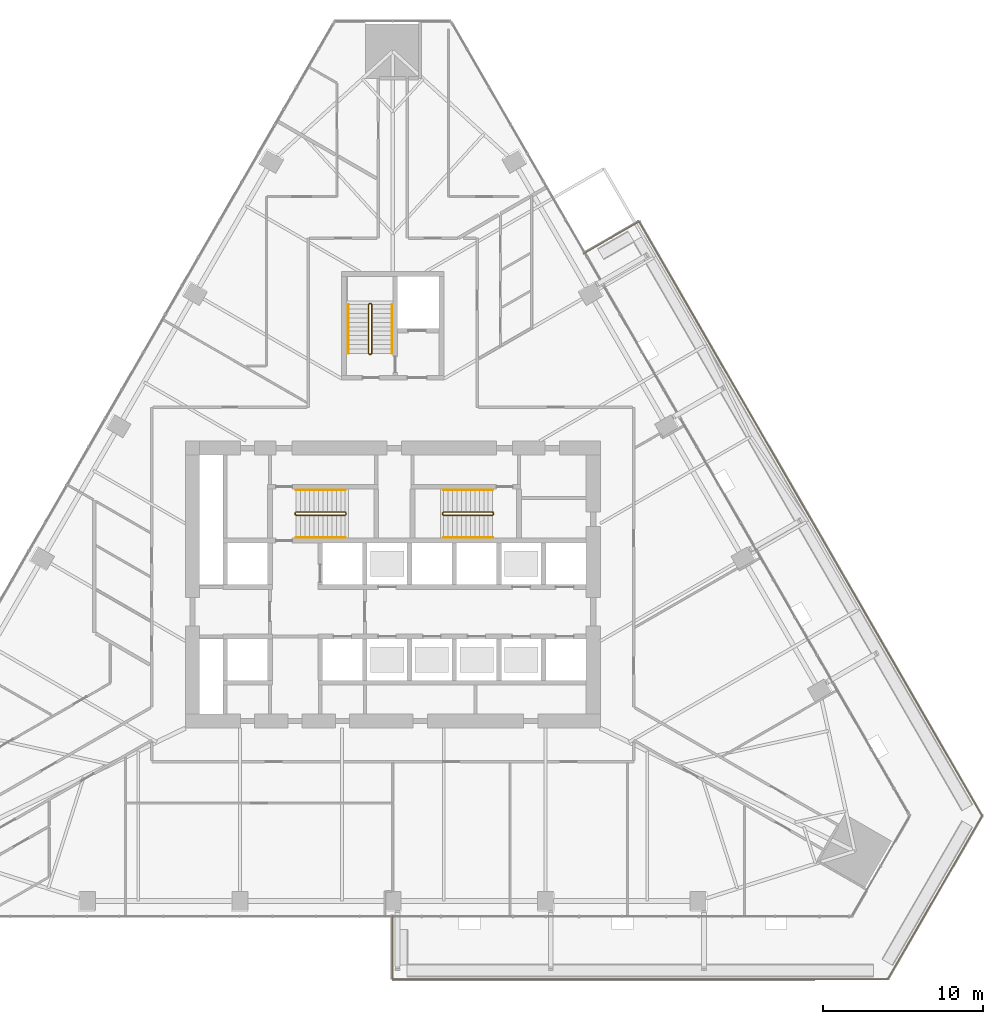
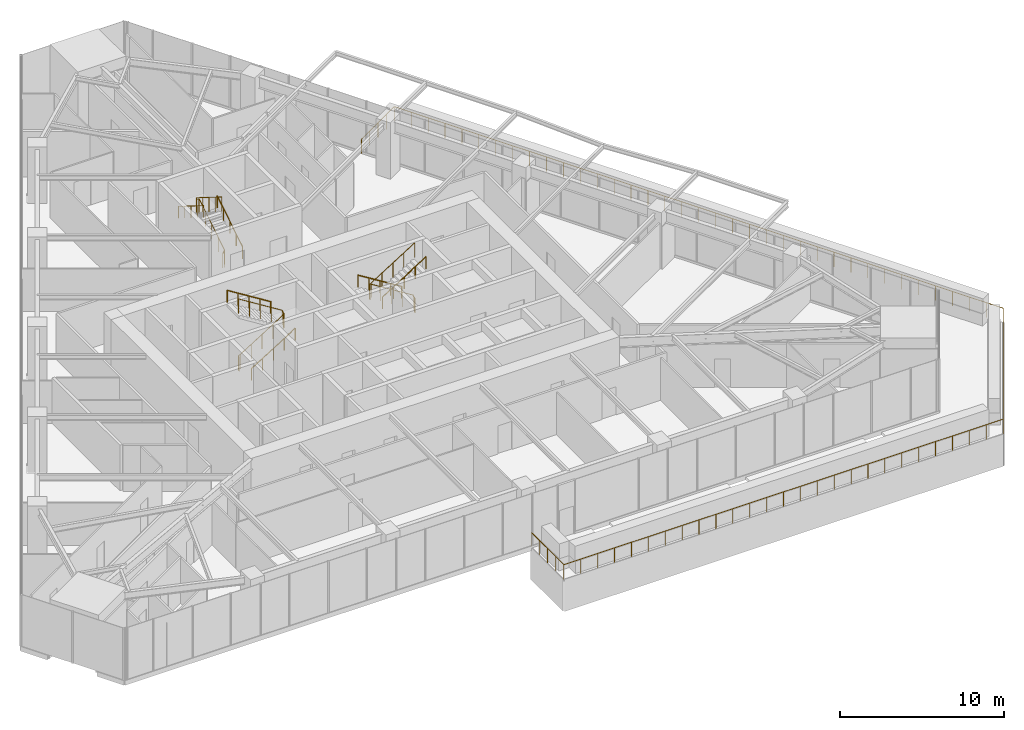
# One storey, part 27 of 29: 10 railings.
"""IFC4 building model written with IfcOpenShell, lengths in metres."""

import ifcopenshell
import ifcopenshell.guid

model = None  # the IFC model being written
_history = None  # IfcOwnerHistory: only IFC2X3 demands one
_inside = {}  # id of a spatial element -> (the spatial element, [elements in it])
_under = {}  # id of a project, library or spatial element -> (it, [spatial elements below it])
_declared = {}  # id of a project -> (the project, [libraries it declares])
_typed = {}  # id of a type object -> (the type object, [elements of that type])
_made_of = {}  # id of a material, layer set ... -> (it, [elements and type objects made of it])


def new_model(schema):
    """Start an empty IFC model of exactly this schema.

    Asked for "IFC4X3", IfcOpenShell would pick the latest addendum, in which some entities
    have other attributes; the version numbers below select the first issue.
    IFC2X3 requires an IfcOwnerHistory on every rooted entity: one is made here for all.
    """
    global model, _history
    if schema == "IFC4X3":
        model = ifcopenshell.file(schema_version=(4, 3, 0, 0))
    else:
        model = ifcopenshell.file(schema=schema)
    _inside.clear()
    _under.clear()
    _declared.clear()
    _typed.clear()
    _made_of.clear()
    _history = None
    if model.schema == "IFC2X3":
        org = make("IfcOrganization", Name="unknown")
        user = make(
            "IfcPersonAndOrganization",
            ThePerson=make("IfcPerson", FamilyName="unknown"),
            TheOrganization=org,
        )
        app = make(
            "IfcApplication",
            ApplicationDeveloper=org,
            Version="unknown",
            ApplicationFullName="unknown",
            ApplicationIdentifier="unknown",
        )
        _history = make(
            "IfcOwnerHistory",
            OwningUser=user,
            OwningApplication=app,
            ChangeAction="ADDED",
            CreationDate=0,
        )
    return model


def make(cls, **values):
    """One entity of the class cls with the attributes given. An attribute that is None is left unset."""
    return model.create_entity(
        cls, **{name: value for name, value in values.items() if value is not None}
    )


def rooted(cls, **values):
    """An entity with a GlobalId (a new one), such as an element, a storey or a relation."""
    return make(cls, GlobalId=ifcopenshell.guid.new(), OwnerHistory=_history, **values)


def si_unit(unit_type, name, prefix=None):
    """IfcSIUnit, for example si_unit("LENGTHUNIT", "METRE", prefix="MILLI")."""
    return make("IfcSIUnit", UnitType=unit_type, Prefix=prefix, Name=name)


def assignment(units):
    """IfcUnitAssignment: the units of a project."""
    return None if units is None else make("IfcUnitAssignment", Units=units)


def point(xyz):
    """IfcCartesianPoint."""
    return None if xyz is None else make("IfcCartesianPoint", Coordinates=xyz)


def direction(xyz):
    """IfcDirection."""
    return None if xyz is None else make("IfcDirection", DirectionRatios=xyz)


def frame(location, z_axis=None, x_axis=None):
    """IfcAxis2Placement3D, a coordinate frame: its origin and axes. An axis left out is left unset."""
    return make(
        "IfcAxis2Placement3D",
        Location=point(location),
        Axis=direction(z_axis),
        RefDirection=direction(x_axis),
    )


def frame_2d(location, x_axis=None):
    """IfcAxis2Placement2D, a coordinate frame in the plane: its origin and x axis."""
    return make(
        "IfcAxis2Placement2D", Location=point(location), RefDirection=direction(x_axis)
    )


def origin():
    """The frame at (0, 0, 0) with its axes left unset."""
    return frame((0.0, 0.0, 0.0))


def origin_2d():
    """The frame at (0, 0) in the plane with its x axis left unset."""
    return frame_2d((0.0, 0.0))


def place(relative_to, where):
    """IfcLocalPlacement: puts the frame where relative to a parent placement (None: the world)."""
    return make(
        "IfcLocalPlacement", PlacementRelTo=relative_to, RelativePlacement=where
    )


def context(
    kind, dimensions, precision=None, world=None, true_north=None, identifier=None
):
    """IfcGeometricRepresentationContext, for example the 3D "Model" context."""
    return make(
        "IfcGeometricRepresentationContext",
        ContextIdentifier=identifier,
        ContextType=kind,
        CoordinateSpaceDimension=dimensions,
        Precision=precision,
        WorldCoordinateSystem=world,
        TrueNorth=true_north,
    )


def subcontext(parent, identifier, kind, view, scale=None):
    """IfcGeometricRepresentationSubContext, for example "Body" below "Model"."""
    return make(
        "IfcGeometricRepresentationSubContext",
        ContextIdentifier=identifier,
        ContextType=kind,
        ParentContext=parent,
        TargetScale=scale,
        TargetView=view,
    )


def project(units=None, contexts=None):
    """IfcProject with its units and contexts."""
    return rooted(
        "IfcProject",
        Name="project",
        RepresentationContexts=contexts,
        UnitsInContext=assignment(units),
    )


def spatial(cls, under=None, at=None, **own):
    """A site, building, storey or space (cls), placed at a placement, below another one or the project."""
    s = rooted(cls, ObjectPlacement=at, **own)
    if under is not None:
        _under.setdefault(under.id(), (under, []))[1].append(s)
    return s


def profile(cls, at=None, kind="AREA", **sizes):
    """A parametric profile (cls). Its sizes go by their IFC names, for example OverallWidth=200.0."""
    return make(cls, ProfileType=kind, Position=at, **sizes)


def circle(**sizes):
    """IfcCircleProfileDef."""
    return profile("IfcCircleProfileDef", **sizes)


def extrude(swept, where, along, depth):
    """IfcExtrudedAreaSolid: the profile swept, set in the frame where, extruded along a direction by depth."""
    return make(
        "IfcExtrudedAreaSolid",
        SweptArea=swept,
        Position=where,
        ExtrudedDirection=direction(along),
        Depth=depth,
    )


def shape(context_of_items, identifier, shape_type, items):
    """IfcShapeRepresentation: the items that make up one representation, for example the "Body"."""
    return make(
        "IfcShapeRepresentation",
        ContextOfItems=context_of_items,
        RepresentationIdentifier=identifier,
        RepresentationType=shape_type,
        Items=items,
    )


def material(Name=None, Category=None):
    """IfcMaterial."""
    return make("IfcMaterial", Name=Name, Category=Category)


def made_of(thing, what):
    """Note that an element or type object is made of a material, layer set ...; save() writes the relation."""
    if what is not None:
        _made_of.setdefault(what.id(), (what, []))[1].append(thing)
    return thing


def type_object(cls, material=None, **own):
    """A type object (cls), such as IfcWallType, which elements share."""
    return made_of(rooted(cls, **own), material)


def element(
    cls,
    number,
    at=None,
    inside=None,
    cuts=None,
    type_object=None,
    material=None,
    context=None,
    identifier="Body",
    shape_type=None,
    held_by="IfcProductDefinitionShape",
    body=None,
    shapes=None,
    **own,
):
    """One element of the class cls, such as IfcWall. Its Tag is "e" and its number.

    at: its placement. inside: the storey or other place that contains it. cuts: it is an
    opening in that element (IfcRelVoidsElement). A single representation is given by context,
    identifier, shape_type and body (its items); several are given by shapes. held_by: the class
    of the entity that holds the representations. save() writes the other relations.
    """
    e = rooted(cls, Tag="e%d" % number, ObjectPlacement=at, **own)
    if body is not None:
        shapes = [shape(context, identifier, shape_type, body)]
    if shapes is not None:
        e.Representation = make(held_by, Representations=shapes)
    if inside is not None:
        _inside.setdefault(inside.id(), (inside, []))[1].append(e)
    if cuts is not None:
        rooted(
            "IfcRelVoidsElement", RelatingBuildingElement=cuts, RelatedOpeningElement=e
        )
    if type_object is not None:
        _typed.setdefault(type_object.id(), (type_object, []))[1].append(e)
    return made_of(e, material)


def aggregate(whole, parts):
    """IfcRelAggregates: a whole, such as a stair, and the parts it consists of."""
    return rooted("IfcRelAggregates", RelatingObject=whole, RelatedObjects=parts)


def save(model, path):
    """Write the relations noted so far, then the file.

    IfcRelAggregates (storeys below a building ...), IfcRelContainedInSpatialStructure (elements
    in a storey), IfcRelDefinesByType, IfcRelAssociatesMaterial and IfcRelDeclares: one each for
    every whole, place, type object, material and project.
    """
    for whole, parts in _under.values():
        aggregate(whole, parts)
    for where, things in _inside.values():
        rooted(
            "IfcRelContainedInSpatialStructure",
            RelatedElements=things,
            RelatingStructure=where,
        )
    for kind, things in _typed.values():
        rooted("IfcRelDefinesByType", RelatedObjects=things, RelatingType=kind)
    for what, things in _made_of.values():
        rooted("IfcRelAssociatesMaterial", RelatedObjects=things, RelatingMaterial=what)
    for by, libraries in _declared.values():
        rooted("IfcRelDeclares", RelatingContext=by, RelatedDefinitions=libraries)
    model.write(path)


model = new_model("IFC4")

# Units and contexts
model_context = context("Model", 3, precision=1e-05, world=origin(), true_north=direction((0.0, 1.0)))
body_context = subcontext(model_context, "Body", "Model", "MODEL_VIEW")
ifc_project = project(units=[si_unit("LENGTHUNIT", "METRE"), si_unit("AREAUNIT", "SQUARE_METRE"), si_unit("VOLUMEUNIT", "CUBIC_METRE"), si_unit("PLANEANGLEUNIT", "RADIAN"), si_unit("MASSUNIT", "GRAM", prefix="KILO")], contexts=[model_context])

# Site, building, storey
site_placement = place(None, origin())
site = spatial("IfcSite", under=ifc_project, at=site_placement, CompositionType="ELEMENT")
building_placement = place(site_placement, origin())
building = spatial("IfcBuilding", under=site, at=building_placement, Name="Firuza Gate Tower and Library", CompositionType="ELEMENT")
storey_placement = place(building_placement, frame((0.0, 0.0, 48.39990234375)))
storey = spatial("IfcBuildingStorey", under=building, at=storey_placement, Name="L10", CompositionType="ELEMENT", Elevation=48.39990234375)

# Railings
ifc_material_1 = material(Name="Steel S355", Category="steel")
railing_type_1 = type_object("IfcRailingType", Name="Stair guard 1100", PredefinedType="GUARDRAIL", material=ifc_material_1)
railing_1_placement = place(storey_placement, frame((68.889892578125, 79.389892578125, 0.0)))
element("IfcRailing", 1, at=railing_1_placement, inside=storey, type_object=railing_type_1, Name="L10 ST1 stair guard 1", PredefinedType="GUARDRAIL", context=body_context, shape_type="SweptSolid", body=[
    extrude(circle(Radius=0.02392578125, at=origin_2d()), frame((0.0, 0.0, 1.076171875), z_axis=(0.0, 1.0, 0.0), x_axis=(-1.0, 0.0, 0.0)), (0.0, 0.0, 1.0), 0.10009765625),
    extrude(circle(Radius=0.02392578125, at=origin_2d()), frame((0.0, 0.10009765625, 1.076171875), z_axis=(0.21222055169, -0.635626432867, 0.742254319813), x_axis=(0.948528701346, 0.316691178788, 0.0)), (0.0, 0.0, 1.0), 0.23583984375),
    extrude(circle(Radius=0.02392578125, at=origin_2d()), frame((0.050048828125, -0.0498046875, 1.2509765625), z_axis=(0.847998304005, 0.0, 0.529998940003), x_axis=(0.0, 1.0, 0.0)), (0.0, 0.0, 1.0), 3.632080078125),
    extrude(circle(Radius=0.02392578125, at=origin_2d()), frame((3.130126953125, -0.0498046875, 3.17626953125), z_axis=(0.708833529934, 0.705375805398, 0.0), x_axis=(-0.705375805398, 0.708833529934, 0.0)), (0.0, 0.0, 1.0), 0.070556640625),
    extrude(circle(Radius=0.02392578125, at=origin_2d()), frame((3.18017578125, 0.0, 3.17626953125), z_axis=(0.0, 1.0, 0.0), x_axis=(-1.0, 0.0, 0.0)), (0.0, 0.0, 1.0), 0.10009765625),
    extrude(circle(Radius=0.02392578125, at=origin_2d()), frame((3.18017578125, 0.10009765625, 3.17626953125), z_axis=(-0.265065253269, 0.265065253269, 0.927081885822), x_axis=(-0.707106781187, -0.707106781187, 0.0)), (0.0, 0.0, 1.0), 0.188720703125),
    extrude(circle(Radius=0.02392578125, at=origin_2d()), frame((3.130126953125, 0.150146484375, 3.35107421875), z_axis=(-0.847998304005, 0.0, 0.529998940003), x_axis=(0.0, -1.0, 0.0)), (0.0, 0.0, 1.0), 3.632080078125),
    extrude(circle(Radius=0.02099609375, at=origin_2d()), origin(), (0.0, 0.0, 1.0), 1.052001953125),
    extrude(circle(Radius=0.02099609375, at=origin_2d()), frame((0.0, 0.10009765625, 0.0)), (0.0, 0.0, 1.0), 1.052001953125),
    extrude(circle(Radius=0.02099609375, at=origin_2d()), frame((0.050048828125, -0.0498046875, 0.175048828125)), (0.0, 0.0, 1.0), 1.052001953125),
    extrude(circle(Radius=0.02099609375, at=origin_2d()), frame((0.820068359375, -0.0498046875, 0.65625)), (0.0, 0.0, 1.0), 1.052001953125),
    extrude(circle(Radius=0.02099609375, at=origin_2d()), frame((1.590087890625, -0.0498046875, 1.1376953125)), (0.0, 0.0, 1.0), 1.052001953125),
    extrude(circle(Radius=0.02099609375, at=origin_2d()), frame((2.360107421875, -0.0498046875, 1.618896484375)), (0.0, 0.0, 1.0), 1.052001953125),
    extrude(circle(Radius=0.02099609375, at=origin_2d()), frame((3.130126953125, -0.0498046875, 2.10009765625)), (0.0, 0.0, 1.0), 1.052001953125),
    extrude(circle(Radius=0.02099609375, at=origin_2d()), frame((3.18017578125, 0.0, 2.10009765625)), (0.0, 0.0, 1.0), 1.052001953125),
    extrude(circle(Radius=0.02099609375, at=origin_2d()), frame((3.18017578125, 0.10009765625, 2.10009765625)), (0.0, 0.0, 1.0), 1.052001953125),
    extrude(circle(Radius=0.02099609375, at=origin_2d()), frame((3.130126953125, 0.150146484375, 2.275146484375)), (0.0, 0.0, 1.0), 1.052001953125),
    extrude(circle(Radius=0.02099609375, at=origin_2d()), frame((2.360107421875, 0.150146484375, 2.75634765625)), (0.0, 0.0, 1.0), 1.052001953125),
    extrude(circle(Radius=0.02099609375, at=origin_2d()), frame((1.590087890625, 0.150146484375, 3.23779296875)), (0.0, 0.0, 1.0), 1.052001953125),
    extrude(circle(Radius=0.02099609375, at=origin_2d()), frame((0.820068359375, 0.150146484375, 3.718994140625)), (0.0, 0.0, 1.0), 1.052001953125),
    extrude(circle(Radius=0.02099609375, at=origin_2d()), frame((0.050048828125, 0.150146484375, 4.2001953125)), (0.0, 0.0, 1.0), 1.052001953125),
])
railing_2_placement = place(storey_placement, frame((81.31005859375, 79.489990234375, 0.0)))
element("IfcRailing", 2, at=railing_2_placement, inside=storey, type_object=railing_type_1, Name="L10 ST2 stair guard 1", PredefinedType="GUARDRAIL", context=body_context, shape_type="SweptSolid", body=[
    extrude(circle(Radius=0.02392578125, at=origin_2d()), frame((0.0, 0.0, 1.076171875), z_axis=(0.0, -1.0, 0.0), x_axis=(1.0, 0.0, 0.0)), (0.0, 0.0, 1.0), 0.10009765625),
    extrude(circle(Radius=0.02392578125, at=origin_2d()), frame((0.0, -0.10009765625, 1.076171875), z_axis=(-0.212080931658, 0.636242794973, 0.741765990237), x_axis=(-0.948683298051, -0.316227766017, 0.0)), (0.0, 0.0, 1.0), 0.236083984375),
    extrude(circle(Radius=0.02392578125, at=origin_2d()), frame((-0.050048828125, 0.050048828125, 1.2509765625), z_axis=(-0.847998304005, 0.0, 0.529998940003), x_axis=(0.0, -1.0, 0.0)), (0.0, 0.0, 1.0), 3.632080078125),
    extrude(circle(Radius=0.02392578125, at=origin_2d()), frame((-3.130126953125, 0.050048828125, 3.17626953125), z_axis=(-0.707106781187, -0.707106781187, 0.0), x_axis=(0.707106781187, -0.707106781187, 0.0)), (0.0, 0.0, 1.0), 0.07080078125),
    extrude(circle(Radius=0.02392578125, at=origin_2d()), frame((-3.18017578125, 0.0, 3.17626953125), z_axis=(0.0, -1.0, 0.0), x_axis=(1.0, 0.0, 0.0)), (0.0, 0.0, 1.0), 0.10009765625),
    extrude(circle(Radius=0.02392578125, at=origin_2d()), frame((-3.18017578125, -0.10009765625, 3.17626953125), z_axis=(0.265155923931, -0.263862480399, 0.927399011991), x_axis=(0.705375805398, 0.708833529934, 0.0)), (0.0, 0.0, 1.0), 0.188720703125),
    extrude(circle(Radius=0.02392578125, at=origin_2d()), frame((-3.130126953125, -0.14990234375, 3.35107421875), z_axis=(0.847998304005, 0.0, 0.529998940003), x_axis=(0.0, 1.0, 0.0)), (0.0, 0.0, 1.0), 3.632080078125),
    extrude(circle(Radius=0.02099609375, at=origin_2d()), origin(), (0.0, 0.0, 1.0), 1.052001953125),
    extrude(circle(Radius=0.02099609375, at=origin_2d()), frame((0.0, -0.10009765625, 0.0)), (0.0, 0.0, 1.0), 1.052001953125),
    extrude(circle(Radius=0.02099609375, at=origin_2d()), frame((-0.050048828125, 0.050048828125, 0.175048828125)), (0.0, 0.0, 1.0), 1.052001953125),
    extrude(circle(Radius=0.02099609375, at=origin_2d()), frame((-0.820068359375, 0.050048828125, 0.65625)), (0.0, 0.0, 1.0), 1.052001953125),
    extrude(circle(Radius=0.02099609375, at=origin_2d()), frame((-1.590087890625, 0.050048828125, 1.1376953125)), (0.0, 0.0, 1.0), 1.052001953125),
    extrude(circle(Radius=0.02099609375, at=origin_2d()), frame((-2.360107421875, 0.050048828125, 1.618896484375)), (0.0, 0.0, 1.0), 1.052001953125),
    extrude(circle(Radius=0.02099609375, at=origin_2d()), frame((-3.130126953125, 0.050048828125, 2.10009765625)), (0.0, 0.0, 1.0), 1.052001953125),
    extrude(circle(Radius=0.02099609375, at=origin_2d()), frame((-3.18017578125, 0.0, 2.10009765625)), (0.0, 0.0, 1.0), 1.052001953125),
    extrude(circle(Radius=0.02099609375, at=origin_2d()), frame((-3.18017578125, -0.10009765625, 2.10009765625)), (0.0, 0.0, 1.0), 1.052001953125),
    extrude(circle(Radius=0.02099609375, at=origin_2d()), frame((-3.130126953125, -0.14990234375, 2.275146484375)), (0.0, 0.0, 1.0), 1.052001953125),
    extrude(circle(Radius=0.02099609375, at=origin_2d()), frame((-2.360107421875, -0.14990234375, 2.75634765625)), (0.0, 0.0, 1.0), 1.052001953125),
    extrude(circle(Radius=0.02099609375, at=origin_2d()), frame((-1.590087890625, -0.14990234375, 3.23779296875)), (0.0, 0.0, 1.0), 1.052001953125),
    extrude(circle(Radius=0.02099609375, at=origin_2d()), frame((-0.820068359375, -0.14990234375, 3.718994140625)), (0.0, 0.0, 1.0), 1.052001953125),
    extrude(circle(Radius=0.02099609375, at=origin_2d()), frame((-0.050048828125, -0.14990234375, 4.2001953125)), (0.0, 0.0, 1.0), 1.052001953125),
])
railing_3_placement = place(storey_placement, frame((73.6298828125, 89.419921875, 0.0)))
element("IfcRailing", 3, at=railing_3_placement, inside=storey, type_object=railing_type_1, Name="L10 ST3 stair guard 1", PredefinedType="GUARDRAIL", context=body_context, shape_type="SweptSolid", body=[
    extrude(circle(Radius=0.02392578125, at=origin_2d()), frame((0.0, 0.0, 1.076171875), z_axis=(-1.0, 0.0, 0.0), x_axis=(0.0, -1.0, 0.0)), (0.0, 0.0, 1.0), 0.099853515625),
    extrude(circle(Radius=0.02392578125, at=origin_2d()), frame((-0.099853515625, 0.0, 1.076171875), z_axis=(0.635626432867, 0.21222055169, 0.742254319813), x_axis=(-0.316691178788, 0.948528701346, 0.0)), (0.0, 0.0, 1.0), 0.23583984375),
    extrude(circle(Radius=0.02392578125, at=origin_2d()), frame((0.050048828125, 0.050048828125, 1.2509765625), z_axis=(0.0, 0.847998304005, 0.529998940003), x_axis=(-1.0, 0.0, 0.0)), (0.0, 0.0, 1.0), 3.632080078125),
    extrude(circle(Radius=0.02392578125, at=origin_2d()), frame((0.050048828125, 3.130126953125, 3.17626953125), z_axis=(-0.707106781187, 0.707106781187, 0.0), x_axis=(-0.707106781187, -0.707106781187, 0.0)), (0.0, 0.0, 1.0), 0.07080078125),
    extrude(circle(Radius=0.02392578125, at=origin_2d()), frame((0.0, 3.18017578125, 3.17626953125), z_axis=(-1.0, 0.0, 0.0), x_axis=(0.0, -1.0, 0.0)), (0.0, 0.0, 1.0), 0.099853515625),
    extrude(circle(Radius=0.02392578125, at=origin_2d()), frame((-0.099853515625, 3.18017578125, 3.17626953125), z_axis=(-0.265065253269, -0.265065253269, 0.927081885822), x_axis=(0.707106781187, -0.707106781187, 0.0)), (0.0, 0.0, 1.0), 0.188720703125),
    extrude(circle(Radius=0.02392578125, at=origin_2d()), frame((-0.14990234375, 3.130126953125, 3.35107421875), z_axis=(0.0, -0.847998304005, 0.529998940003), x_axis=(1.0, 0.0, 0.0)), (0.0, 0.0, 1.0), 3.632080078125),
    extrude(circle(Radius=0.02099609375, at=origin_2d()), origin(), (0.0, 0.0, 1.0), 1.052001953125),
    extrude(circle(Radius=0.02099609375, at=origin_2d()), frame((-0.099853515625, 0.0, 0.0)), (0.0, 0.0, 1.0), 1.052001953125),
    extrude(circle(Radius=0.02099609375, at=origin_2d()), frame((0.050048828125, 0.050048828125, 0.175048828125)), (0.0, 0.0, 1.0), 1.052001953125),
    extrude(circle(Radius=0.02099609375, at=origin_2d()), frame((0.050048828125, 0.820068359375, 0.65625)), (0.0, 0.0, 1.0), 1.052001953125),
    extrude(circle(Radius=0.02099609375, at=origin_2d()), frame((0.050048828125, 1.590087890625, 1.1376953125)), (0.0, 0.0, 1.0), 1.052001953125),
    extrude(circle(Radius=0.02099609375, at=origin_2d()), frame((0.050048828125, 2.360107421875, 1.618896484375)), (0.0, 0.0, 1.0), 1.052001953125),
    extrude(circle(Radius=0.02099609375, at=origin_2d()), frame((0.050048828125, 3.130126953125, 2.10009765625)), (0.0, 0.0, 1.0), 1.052001953125),
    extrude(circle(Radius=0.02099609375, at=origin_2d()), frame((0.0, 3.18017578125, 2.10009765625)), (0.0, 0.0, 1.0), 1.052001953125),
    extrude(circle(Radius=0.02099609375, at=origin_2d()), frame((-0.099853515625, 3.18017578125, 2.10009765625)), (0.0, 0.0, 1.0), 1.052001953125),
    extrude(circle(Radius=0.02099609375, at=origin_2d()), frame((-0.14990234375, 3.130126953125, 2.275146484375)), (0.0, 0.0, 1.0), 1.052001953125),
    extrude(circle(Radius=0.02099609375, at=origin_2d()), frame((-0.14990234375, 2.360107421875, 2.75634765625)), (0.0, 0.0, 1.0), 1.052001953125),
    extrude(circle(Radius=0.02099609375, at=origin_2d()), frame((-0.14990234375, 1.590087890625, 3.23779296875)), (0.0, 0.0, 1.0), 1.052001953125),
    extrude(circle(Radius=0.02099609375, at=origin_2d()), frame((-0.14990234375, 0.820068359375, 3.718994140625)), (0.0, 0.0, 1.0), 1.052001953125),
    extrude(circle(Radius=0.02099609375, at=origin_2d()), frame((-0.14990234375, 0.050048828125, 4.2001953125)), (0.0, 0.0, 1.0), 1.052001953125),
])
ifc_material_2 = material(Name="Steel S355", Category="steel")
railing_type_2 = type_object("IfcRailingType", Name="Stair handrail 900", PredefinedType="HANDRAIL", material=ifc_material_2)
railing_4_placement = place(storey_placement, frame((68.93994140625, 77.949951171875, 0.175048828125)))
element("IfcRailing", 4, at=railing_4_placement, inside=storey, type_object=railing_type_2, Name="L10 ST1 stair handrail 1", PredefinedType="HANDRAIL", context=body_context, shape_type="SweptSolid", body=[
    extrude(circle(Radius=0.02392578125, at=origin_2d()), frame((0.0, 0.0, 0.8759765625), z_axis=(0.847998304005, 0.0, 0.529998940003), x_axis=(0.0, 1.0, 0.0)), (0.0, 0.0, 1.0), 3.632080078125),
    extrude(circle(Radius=0.02099609375, at=origin_2d()), origin(), (0.0, 0.0, 1.0), 0.851806640625),
    extrude(circle(Radius=0.02099609375, at=origin_2d()), frame((0.77001953125, 0.0, 0.481201171875)), (0.0, 0.0, 1.0), 0.851806640625),
    extrude(circle(Radius=0.02099609375, at=origin_2d()), frame((1.5400390625, 0.0, 0.96240234375)), (0.0, 0.0, 1.0), 0.851806640625),
    extrude(circle(Radius=0.02099609375, at=origin_2d()), frame((2.31005859375, 0.0, 1.44384765625)), (0.0, 0.0, 1.0), 0.851806640625),
    extrude(circle(Radius=0.02099609375, at=origin_2d()), frame((3.080078125, 0.0, 1.925048828125)), (0.0, 0.0, 1.0), 0.851806640625),
])
for number, where, name in (
    (5, (72.02001953125, 80.929931640625, 2.275146484375), "L10 ST1 stair handrail 2"),
    (6, (81.260009765625, 80.929931640625, 0.175048828125), "L10 ST2 stair handrail 1"),
):
    element("IfcRailing", number, at=place(storey_placement, frame(where)), inside=storey, type_object=railing_type_2, Name=name, PredefinedType="HANDRAIL", context=body_context, shape_type="SweptSolid", body=[
        extrude(circle(Radius=0.02392578125, at=origin_2d()), frame((0.0, 0.0, 0.8759765625), z_axis=(-0.847998304005, 0.0, 0.529998940003), x_axis=(0.0, -1.0, 0.0)), (0.0, 0.0, 1.0), 3.632080078125),
        extrude(circle(Radius=0.02099609375, at=origin_2d()), origin(), (0.0, 0.0, 1.0), 0.851806640625),
        extrude(circle(Radius=0.02099609375, at=origin_2d()), frame((-0.77001953125, 0.0, 0.481201171875)), (0.0, 0.0, 1.0), 0.851806640625),
        extrude(circle(Radius=0.02099609375, at=origin_2d()), frame((-1.5400390625, 0.0, 0.96240234375)), (0.0, 0.0, 1.0), 0.851806640625),
        extrude(circle(Radius=0.02099609375, at=origin_2d()), frame((-2.31005859375, 0.0, 1.44384765625)), (0.0, 0.0, 1.0), 0.851806640625),
        extrude(circle(Radius=0.02099609375, at=origin_2d()), frame((-3.080078125, 0.0, 1.925048828125)), (0.0, 0.0, 1.0), 0.851806640625),
    ])
railing_5_placement = place(storey_placement, frame((78.179931640625, 77.949951171875, 2.275146484375)))
element("IfcRailing", 7, at=railing_5_placement, inside=storey, type_object=railing_type_2, Name="L10 ST2 stair handrail 2", PredefinedType="HANDRAIL", context=body_context, shape_type="SweptSolid", body=[
    extrude(circle(Radius=0.02392578125, at=origin_2d()), frame((0.0, 0.0, 0.8759765625), z_axis=(0.847998304005, 0.0, 0.529998940003), x_axis=(0.0, 1.0, 0.0)), (0.0, 0.0, 1.0), 3.632080078125),
    extrude(circle(Radius=0.02099609375, at=origin_2d()), origin(), (0.0, 0.0, 1.0), 0.851806640625),
    extrude(circle(Radius=0.02099609375, at=origin_2d()), frame((0.77001953125, 0.0, 0.481201171875)), (0.0, 0.0, 1.0), 0.851806640625),
    extrude(circle(Radius=0.02099609375, at=origin_2d()), frame((1.5400390625, 0.0, 0.96240234375)), (0.0, 0.0, 1.0), 0.851806640625),
    extrude(circle(Radius=0.02099609375, at=origin_2d()), frame((2.31005859375, 0.0, 1.44384765625)), (0.0, 0.0, 1.0), 0.851806640625),
    extrude(circle(Radius=0.02099609375, at=origin_2d()), frame((3.080078125, 0.0, 1.925048828125)), (0.0, 0.0, 1.0), 0.851806640625),
])
railing_6_placement = place(storey_placement, frame((74.949951171875, 89.469970703125, 0.175048828125)))
element("IfcRailing", 8, at=railing_6_placement, inside=storey, type_object=railing_type_2, Name="L10 ST3 stair handrail 1", PredefinedType="HANDRAIL", context=body_context, shape_type="SweptSolid", body=[
    extrude(circle(Radius=0.02392578125, at=origin_2d()), frame((0.0, 0.0, 0.8759765625), z_axis=(0.0, 0.847998304005, 0.529998940003), x_axis=(-1.0, 0.0, 0.0)), (0.0, 0.0, 1.0), 3.632080078125),
    extrude(circle(Radius=0.02099609375, at=origin_2d()), origin(), (0.0, 0.0, 1.0), 0.851806640625),
    extrude(circle(Radius=0.02099609375, at=origin_2d()), frame((0.0, 0.77001953125, 0.481201171875)), (0.0, 0.0, 1.0), 0.851806640625),
    extrude(circle(Radius=0.02099609375, at=origin_2d()), frame((0.0, 1.5400390625, 0.96240234375)), (0.0, 0.0, 1.0), 0.851806640625),
    extrude(circle(Radius=0.02099609375, at=origin_2d()), frame((0.0, 2.31005859375, 1.44384765625)), (0.0, 0.0, 1.0), 0.851806640625),
    extrude(circle(Radius=0.02099609375, at=origin_2d()), frame((0.0, 3.080078125, 1.925048828125)), (0.0, 0.0, 1.0), 0.851806640625),
])
railing_7_placement = place(storey_placement, frame((72.2099609375, 92.550048828125, 2.275146484375)))
element("IfcRailing", 9, at=railing_7_placement, inside=storey, type_object=railing_type_2, Name="L10 ST3 stair handrail 2", PredefinedType="HANDRAIL", context=body_context, shape_type="SweptSolid", body=[
    extrude(circle(Radius=0.02392578125, at=origin_2d()), frame((0.0, 0.0, 0.8759765625), z_axis=(0.0, -0.847998304005, 0.529998940003), x_axis=(1.0, 0.0, 0.0)), (0.0, 0.0, 1.0), 3.632080078125),
    extrude(circle(Radius=0.02099609375, at=origin_2d()), origin(), (0.0, 0.0, 1.0), 0.851806640625),
    extrude(circle(Radius=0.02099609375, at=origin_2d()), frame((0.0, -0.77001953125, 0.481201171875)), (0.0, 0.0, 1.0), 0.851806640625),
    extrude(circle(Radius=0.02099609375, at=origin_2d()), frame((0.0, -1.5400390625, 0.96240234375)), (0.0, 0.0, 1.0), 0.851806640625),
    extrude(circle(Radius=0.02099609375, at=origin_2d()), frame((0.0, -2.31005859375, 1.44384765625)), (0.0, 0.0, 1.0), 0.851806640625),
    extrude(circle(Radius=0.02099609375, at=origin_2d()), frame((0.0, -3.080078125, 1.925048828125)), (0.0, 0.0, 1.0), 0.851806640625),
])
ifc_material_3 = material(Name="Steel S355", Category="steel")
railing_type_3 = type_object("IfcRailingType", Name="Terrace guard 1100", PredefinedType="GUARDRAIL", material=ifc_material_3)
railing_8_placement = place(storey_placement, frame((75.0, 54.272216796875, 0.0)))
element("IfcRailing", 10, at=railing_8_placement, inside=storey, type_object=railing_type_3, Name="Tray guard L10", PredefinedType="GUARDRAIL", context=body_context, shape_type="SweptSolid", body=[
    extrude(circle(Radius=0.02392578125, at=origin_2d()), frame((0.0, 0.0, 1.076171875), z_axis=(0.0, -1.0, 0.0), x_axis=(1.0, 0.0, 0.0)), (0.0, 0.0, 1.0), 4.0),
    extrude(circle(Radius=0.02392578125, at=origin_2d()), frame((0.0, -4.0, 1.076171875), z_axis=(1.0, 0.0, 0.0), x_axis=(0.0, 1.0, 0.0)), (0.0, 0.0, 1.0), 31.010986328125),
    extrude(circle(Radius=0.02392578125, at=origin_2d()), frame((31.010986328125, -4.0, 1.076171875), z_axis=(0.500002592159, 0.866023907196, 0.0), x_axis=(-0.866023907196, 0.500002592159, 0.0)), (0.0, 0.0, 1.0), 11.81884765625),
    extrude(circle(Radius=0.02392578125, at=origin_2d()), frame((36.92041015625, 6.2353515625, 1.076171875), z_axis=(-0.499998475025, 0.866026284228, 0.0), x_axis=(-0.866026284228, -0.499998475025, 0.0)), (0.0, 0.0, 1.0), 42.978271484375),
    extrude(circle(Radius=0.02392578125, at=origin_2d()), frame((15.431396484375, 43.45556640625, 1.076171875), z_axis=(-0.866026010844, -0.49999894854, 0.0), x_axis=(0.49999894854, -0.866026010844, 0.0)), (0.0, 0.0, 1.0), 4.0),
    extrude(circle(Radius=0.02099609375, at=origin_2d()), origin(), (0.0, 0.0, 1.0), 1.052001953125),
    extrude(circle(Radius=0.02099609375, at=origin_2d()), frame((0.0, -1.0, 0.0)), (0.0, 0.0, 1.0), 1.052001953125),
    extrude(circle(Radius=0.02099609375, at=origin_2d()), frame((0.0, -2.0, 0.0)), (0.0, 0.0, 1.0), 1.052001953125),
    extrude(circle(Radius=0.02099609375, at=origin_2d()), frame((0.0, -3.0, 0.0)), (0.0, 0.0, 1.0), 1.052001953125),
    extrude(circle(Radius=0.02099609375, at=origin_2d()), frame((0.0, -4.0, 0.0)), (0.0, 0.0, 1.0), 1.052001953125),
    extrude(circle(Radius=0.02099609375, at=origin_2d()), frame((1.192626953125, -4.0, 0.0)), (0.0, 0.0, 1.0), 1.052001953125),
    extrude(circle(Radius=0.02099609375, at=origin_2d()), frame((2.385498046875, -4.0, 0.0)), (0.0, 0.0, 1.0), 1.052001953125),
    extrude(circle(Radius=0.02099609375, at=origin_2d()), frame((3.578125, -4.0, 0.0)), (0.0, 0.0, 1.0), 1.052001953125),
    extrude(circle(Radius=0.02099609375, at=origin_2d()), frame((4.77099609375, -4.0, 0.0)), (0.0, 0.0, 1.0), 1.052001953125),
    extrude(circle(Radius=0.02099609375, at=origin_2d()), frame((5.963623046875, -4.0, 0.0)), (0.0, 0.0, 1.0), 1.052001953125),
    extrude(circle(Radius=0.02099609375, at=origin_2d()), frame((7.156494140625, -4.0, 0.0)), (0.0, 0.0, 1.0), 1.052001953125),
    extrude(circle(Radius=0.02099609375, at=origin_2d()), frame((8.34912109375, -4.0, 0.0)), (0.0, 0.0, 1.0), 1.052001953125),
    extrude(circle(Radius=0.02099609375, at=origin_2d()), frame((9.541748046875, -4.0, 0.0)), (0.0, 0.0, 1.0), 1.052001953125),
    extrude(circle(Radius=0.02099609375, at=origin_2d()), frame((10.734619140625, -4.0, 0.0)), (0.0, 0.0, 1.0), 1.052001953125),
    extrude(circle(Radius=0.02099609375, at=origin_2d()), frame((11.92724609375, -4.0, 0.0)), (0.0, 0.0, 1.0), 1.052001953125),
    extrude(circle(Radius=0.02099609375, at=origin_2d()), frame((13.1201171875, -4.0, 0.0)), (0.0, 0.0, 1.0), 1.052001953125),
    extrude(circle(Radius=0.02099609375, at=origin_2d()), frame((14.312744140625, -4.0, 0.0)), (0.0, 0.0, 1.0), 1.052001953125),
    extrude(circle(Radius=0.02099609375, at=origin_2d()), frame((15.50537109375, -4.0, 0.0)), (0.0, 0.0, 1.0), 1.052001953125),
    extrude(circle(Radius=0.02099609375, at=origin_2d()), frame((16.6982421875, -4.0, 0.0)), (0.0, 0.0, 1.0), 1.052001953125),
    extrude(circle(Radius=0.02099609375, at=origin_2d()), frame((17.890869140625, -4.0, 0.0)), (0.0, 0.0, 1.0), 1.052001953125),
    extrude(circle(Radius=0.02099609375, at=origin_2d()), frame((19.083740234375, -4.0, 0.0)), (0.0, 0.0, 1.0), 1.052001953125),
    extrude(circle(Radius=0.02099609375, at=origin_2d()), frame((20.2763671875, -4.0, 0.0)), (0.0, 0.0, 1.0), 1.052001953125),
    extrude(circle(Radius=0.02099609375, at=origin_2d()), frame((21.46923828125, -4.0, 0.0)), (0.0, 0.0, 1.0), 1.052001953125),
    extrude(circle(Radius=0.02099609375, at=origin_2d()), frame((22.661865234375, -4.0, 0.0)), (0.0, 0.0, 1.0), 1.052001953125),
    extrude(circle(Radius=0.02099609375, at=origin_2d()), frame((23.8544921875, -4.0, 0.0)), (0.0, 0.0, 1.0), 1.052001953125),
    extrude(circle(Radius=0.02099609375, at=origin_2d()), frame((25.04736328125, -4.0, 0.0)), (0.0, 0.0, 1.0), 1.052001953125),
    extrude(circle(Radius=0.02099609375, at=origin_2d()), frame((26.239990234375, -4.0, 0.0)), (0.0, 0.0, 1.0), 1.052001953125),
    extrude(circle(Radius=0.02099609375, at=origin_2d()), frame((27.432861328125, -4.0, 0.0)), (0.0, 0.0, 1.0), 1.052001953125),
    extrude(circle(Radius=0.02099609375, at=origin_2d()), frame((28.62548828125, -4.0, 0.0)), (0.0, 0.0, 1.0), 1.052001953125),
    extrude(circle(Radius=0.02099609375, at=origin_2d()), frame((29.818359375, -4.0, 0.0)), (0.0, 0.0, 1.0), 1.052001953125),
    extrude(circle(Radius=0.02099609375, at=origin_2d()), frame((31.010986328125, -4.0, 0.0)), (0.0, 0.0, 1.0), 1.052001953125),
    extrude(circle(Radius=0.02099609375, at=origin_2d()), frame((31.60205078125, -2.9765625, 0.0)), (0.0, 0.0, 1.0), 1.052001953125),
    extrude(circle(Radius=0.02099609375, at=origin_2d()), frame((32.19287109375, -1.952880859375, 0.0)), (0.0, 0.0, 1.0), 1.052001953125),
    extrude(circle(Radius=0.02099609375, at=origin_2d()), frame((32.78369140625, -0.929443359375, 0.0)), (0.0, 0.0, 1.0), 1.052001953125),
    extrude(circle(Radius=0.02099609375, at=origin_2d()), frame((33.374755859375, 0.09423828125, 0.0)), (0.0, 0.0, 1.0), 1.052001953125),
    extrude(circle(Radius=0.02099609375, at=origin_2d()), frame((33.9658203125, 1.11767578125, 0.0)), (0.0, 0.0, 1.0), 1.052001953125),
    extrude(circle(Radius=0.02099609375, at=origin_2d()), frame((34.556640625, 2.14111328125, 0.0)), (0.0, 0.0, 1.0), 1.052001953125),
    extrude(circle(Radius=0.02099609375, at=origin_2d()), frame((35.1474609375, 3.164794921875, 0.0)), (0.0, 0.0, 1.0), 1.052001953125),
    extrude(circle(Radius=0.02099609375, at=origin_2d()), frame((35.738525390625, 4.188232421875, 0.0)), (0.0, 0.0, 1.0), 1.052001953125),
    extrude(circle(Radius=0.02099609375, at=origin_2d()), frame((36.32958984375, 5.2119140625, 0.0)), (0.0, 0.0, 1.0), 1.052001953125),
    extrude(circle(Radius=0.02099609375, at=origin_2d()), frame((36.92041015625, 6.2353515625, 0.0)), (0.0, 0.0, 1.0), 1.052001953125),
    extrude(circle(Radius=0.02099609375, at=origin_2d()), frame((36.323486328125, 7.269287109375, 0.0)), (0.0, 0.0, 1.0), 1.052001953125),
    extrude(circle(Radius=0.02099609375, at=origin_2d()), frame((35.7265625, 8.30322265625, 0.0)), (0.0, 0.0, 1.0), 1.052001953125),
    extrude(circle(Radius=0.02099609375, at=origin_2d()), frame((35.129638671875, 9.3369140625, 0.0)), (0.0, 0.0, 1.0), 1.052001953125),
    extrude(circle(Radius=0.02099609375, at=origin_2d()), frame((34.53271484375, 10.370849609375, 0.0)), (0.0, 0.0, 1.0), 1.052001953125),
    extrude(circle(Radius=0.02099609375, at=origin_2d()), frame((33.935791015625, 11.40478515625, 0.0)), (0.0, 0.0, 1.0), 1.052001953125),
    extrude(circle(Radius=0.02099609375, at=origin_2d()), frame((33.3388671875, 12.438720703125, 0.0)), (0.0, 0.0, 1.0), 1.052001953125),
    extrude(circle(Radius=0.02099609375, at=origin_2d()), frame((32.741943359375, 13.47265625, 0.0)), (0.0, 0.0, 1.0), 1.052001953125),
    extrude(circle(Radius=0.02099609375, at=origin_2d()), frame((32.14501953125, 14.506591796875, 0.0)), (0.0, 0.0, 1.0), 1.052001953125),
    extrude(circle(Radius=0.02099609375, at=origin_2d()), frame((31.548095703125, 15.54052734375, 0.0)), (0.0, 0.0, 1.0), 1.052001953125),
    extrude(circle(Radius=0.02099609375, at=origin_2d()), frame((30.951171875, 16.57421875, 0.0)), (0.0, 0.0, 1.0), 1.052001953125),
    extrude(circle(Radius=0.02099609375, at=origin_2d()), frame((30.354248046875, 17.608154296875, 0.0)), (0.0, 0.0, 1.0), 1.052001953125),
    extrude(circle(Radius=0.02099609375, at=origin_2d()), frame((29.75732421875, 18.64208984375, 0.0)), (0.0, 0.0, 1.0), 1.052001953125),
    extrude(circle(Radius=0.02099609375, at=origin_2d()), frame((29.160400390625, 19.676025390625, 0.0)), (0.0, 0.0, 1.0), 1.052001953125),
    extrude(circle(Radius=0.02099609375, at=origin_2d()), frame((28.5634765625, 20.7099609375, 0.0)), (0.0, 0.0, 1.0), 1.052001953125),
    extrude(circle(Radius=0.02099609375, at=origin_2d()), frame((27.966552734375, 21.74365234375, 0.0)), (0.0, 0.0, 1.0), 1.052001953125),
    extrude(circle(Radius=0.02099609375, at=origin_2d()), frame((27.36962890625, 22.777587890625, 0.0)), (0.0, 0.0, 1.0), 1.052001953125),
    extrude(circle(Radius=0.02099609375, at=origin_2d()), frame((26.772705078125, 23.8115234375, 0.0)), (0.0, 0.0, 1.0), 1.052001953125),
    extrude(circle(Radius=0.02099609375, at=origin_2d()), frame((26.17578125, 24.845458984375, 0.0)), (0.0, 0.0, 1.0), 1.052001953125),
    extrude(circle(Radius=0.02099609375, at=origin_2d()), frame((25.5791015625, 25.87939453125, 0.0)), (0.0, 0.0, 1.0), 1.052001953125),
    extrude(circle(Radius=0.02099609375, at=origin_2d()), frame((24.982177734375, 26.913330078125, 0.0)), (0.0, 0.0, 1.0), 1.052001953125),
    extrude(circle(Radius=0.02099609375, at=origin_2d()), frame((24.38525390625, 27.947265625, 0.0)), (0.0, 0.0, 1.0), 1.052001953125),
    extrude(circle(Radius=0.02099609375, at=origin_2d()), frame((23.788330078125, 28.98095703125, 0.0)), (0.0, 0.0, 1.0), 1.052001953125),
    extrude(circle(Radius=0.02099609375, at=origin_2d()), frame((23.19140625, 30.014892578125, 0.0)), (0.0, 0.0, 1.0), 1.052001953125),
    extrude(circle(Radius=0.02099609375, at=origin_2d()), frame((22.594482421875, 31.048828125, 0.0)), (0.0, 0.0, 1.0), 1.052001953125),
    extrude(circle(Radius=0.02099609375, at=origin_2d()), frame((21.99755859375, 32.082763671875, 0.0)), (0.0, 0.0, 1.0), 1.052001953125),
    extrude(circle(Radius=0.02099609375, at=origin_2d()), frame((21.400634765625, 33.11669921875, 0.0)), (0.0, 0.0, 1.0), 1.052001953125),
    extrude(circle(Radius=0.02099609375, at=origin_2d()), frame((20.8037109375, 34.150390625, 0.0)), (0.0, 0.0, 1.0), 1.052001953125),
    extrude(circle(Radius=0.02099609375, at=origin_2d()), frame((20.206787109375, 35.184326171875, 0.0)), (0.0, 0.0, 1.0), 1.052001953125),
    extrude(circle(Radius=0.02099609375, at=origin_2d()), frame((19.60986328125, 36.21826171875, 0.0)), (0.0, 0.0, 1.0), 1.052001953125),
    extrude(circle(Radius=0.02099609375, at=origin_2d()), frame((19.012939453125, 37.252197265625, 0.0)), (0.0, 0.0, 1.0), 1.052001953125),
    extrude(circle(Radius=0.02099609375, at=origin_2d()), frame((18.416015625, 38.2861328125, 0.0)), (0.0, 0.0, 1.0), 1.052001953125),
    extrude(circle(Radius=0.02099609375, at=origin_2d()), frame((17.819091796875, 39.320068359375, 0.0)), (0.0, 0.0, 1.0), 1.052001953125),
    extrude(circle(Radius=0.02099609375, at=origin_2d()), frame((17.22216796875, 40.35400390625, 0.0)), (0.0, 0.0, 1.0), 1.052001953125),
    extrude(circle(Radius=0.02099609375, at=origin_2d()), frame((16.625244140625, 41.3876953125, 0.0)), (0.0, 0.0, 1.0), 1.052001953125),
    extrude(circle(Radius=0.02099609375, at=origin_2d()), frame((16.0283203125, 42.421630859375, 0.0)), (0.0, 0.0, 1.0), 1.052001953125),
    extrude(circle(Radius=0.02099609375, at=origin_2d()), frame((15.431396484375, 43.45556640625, 0.0)), (0.0, 0.0, 1.0), 1.052001953125),
    extrude(circle(Radius=0.02099609375, at=origin_2d()), frame((14.5654296875, 42.95556640625, 0.0)), (0.0, 0.0, 1.0), 1.052001953125),
    extrude(circle(Radius=0.02099609375, at=origin_2d()), frame((13.69921875, 42.45556640625, 0.0)), (0.0, 0.0, 1.0), 1.052001953125),
    extrude(circle(Radius=0.02099609375, at=origin_2d()), frame((12.833251953125, 41.95556640625, 0.0)), (0.0, 0.0, 1.0), 1.052001953125),
    extrude(circle(Radius=0.02099609375, at=origin_2d()), frame((11.96728515625, 41.45556640625, 0.0)), (0.0, 0.0, 1.0), 1.052001953125),
])

save(model, "model.ifc")
